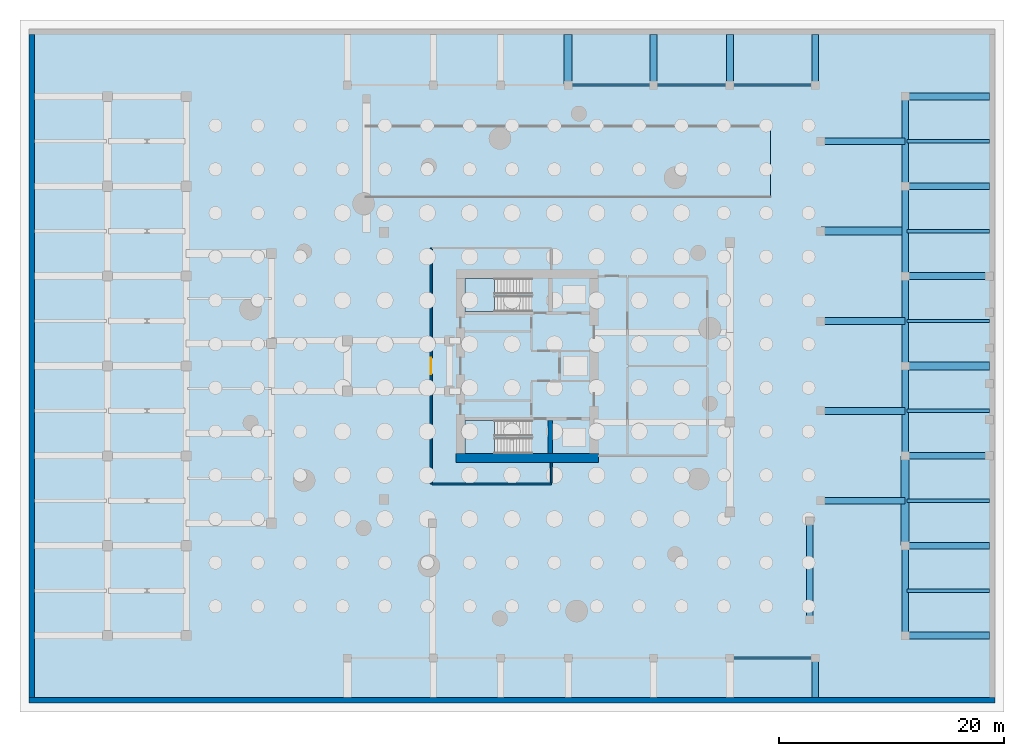
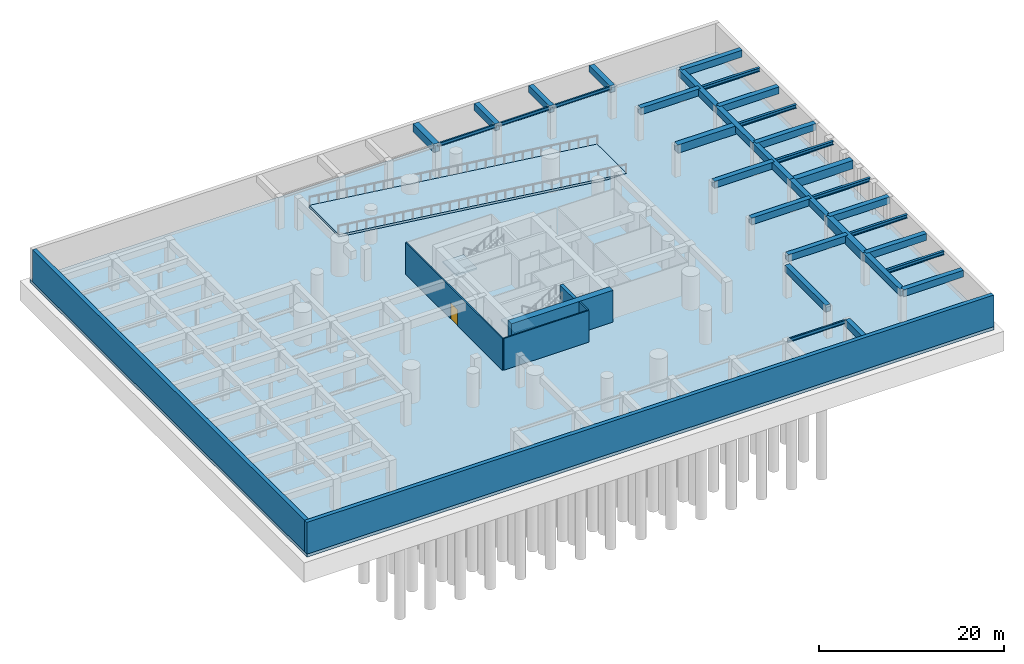
# One storey, part 6 of 11: 34 beams, 7 walls, 4 slabs, 1 door, 1 opening, 2 elements without a shape of their own.
"""IFC4 building model written with IfcOpenShell, lengths in metres."""

from ifc_helpers import new_model, si_unit, direction, frame, frame_2d, origin, origin_2d, place, context, subcontext, project, spatial, polyline, rectangle, i_section, outline, extrude, source, transform, mapped, material, layer, layer_set, material_profile, profile_set, type_object, element, fill, aggregate, save


model = new_model("IFC4")

# Units and contexts
model_context = context("Model", 3, precision=1e-05, world=origin(), true_north=direction((0.0, 1.0)))
body_context = subcontext(model_context, "Body", "Model", "MODEL_VIEW")
ifc_project = project(units=[si_unit("LENGTHUNIT", "METRE"), si_unit("AREAUNIT", "SQUARE_METRE"), si_unit("VOLUMEUNIT", "CUBIC_METRE"), si_unit("PLANEANGLEUNIT", "RADIAN"), si_unit("MASSUNIT", "GRAM", prefix="KILO")], contexts=[model_context])

# Site, building, storey
site_placement = place(None, origin())
site = spatial("IfcSite", under=ifc_project, at=site_placement, CompositionType="ELEMENT")
building_placement = place(site_placement, origin())
building = spatial("IfcBuilding", under=site, at=building_placement, Name="Qafzar Sky-Pleat Residences", CompositionType="ELEMENT")
storey_placement = place(building_placement, frame((0.0, 0.0, -8.699951171875)))
storey = spatial("IfcBuildingStorey", under=building, at=storey_placement, Name="B02", CompositionType="ELEMENT", Elevation=-8.699951171875)

# Beams
ifc_material_1 = material(Name="Concrete C50/60", Category="concrete")
ifc_material_profile_1 = material_profile(ifc_material_1, rectangle(XDim=0.60009765625, YDim=0.89990234375, at=origin_2d()), Name="RC 600x900")
ifc_profile_set_1 = profile_set([ifc_material_profile_1], Name="Concrete C50/60")
beam_type_1 = type_object("IfcBeamType", Name="BM-RC-600x900", PredefinedType="BEAM", material=ifc_profile_set_1)
shared_shape_1 = source(origin(), body_context, "Body", "SweptSolid", [
    extrude(rectangle(XDim=0.60009765625, YDim=0.89990234375, at=origin_2d()), origin(), (0.0, 0.0, 1.0), 8.0),
])
for number, where, z_axis, x_axis, name in (
    (1, (64.0, 2.0, 3.75), (0.0, 1.0, 0.0), (-1.0, 0.0, 0.0), "B02 Basement Girder 59"),
    (2, (64.0, 18.0, 3.75), (0.0, 1.0, 0.0), (-1.0, 0.0, 0.0), "B02 Basement Girder 61"),
    (3, (64.0, 26.0, 3.75), (0.0, 1.0, 0.0), (-1.0, 0.0, 0.0), "B02 Basement Girder 62"),
    (4, (64.0, 34.0, 3.75), (0.0, 1.0, 0.0), (-1.0, 0.0, 0.0), "B02 Basement Girder 63"),
    (5, (64.0, 42.0, 3.75), (0.0, 1.0, 0.0), (-1.0, 0.0, 0.0), "B02 Basement Girder 64"),
):
    element("IfcBeam", number, at=place(storey_placement, frame(where, z_axis=z_axis, x_axis=x_axis)), inside=storey, type_object=beam_type_1, Name=name, PredefinedType="BEAM", context=body_context, shape_type="MappedRepresentation", body=[
        mapped(shared_shape_1, transform((0.0, 0.0, 0.0), x_axis=(1.0, 0.0, 0.0), y_axis=(0.0, 1.0, 0.0), z_axis=(0.0, 0.0, 1.0), scale=1.0)),
    ])
ifc_material_profile_2 = material_profile(ifc_material_1, rectangle(XDim=0.699951171875, YDim=1.10009765625, at=origin_2d()), Name="RC 700x1100")
ifc_profile_set_2 = profile_set([ifc_material_profile_2], Name="Concrete C50/60")
beam_type_2 = type_object("IfcBeamType", Name="BM-RC-700x1100", PredefinedType="BEAM", material=ifc_profile_set_2)
shared_shape_2 = source(origin(), body_context, "Body", "SweptSolid", [
    extrude(rectangle(XDim=0.699951171875, YDim=1.10009765625, at=origin_2d()), origin(), (0.0, 0.0, 1.0), 8.0),
])
beam_1_placement = place(storey_placement, frame((64.0, 10.0, 3.64990234375), z_axis=(0.0, 1.0, 0.0), x_axis=(-1.0, 0.0, 0.0)))
element("IfcBeam", 6, at=beam_1_placement, inside=storey, type_object=beam_type_2, Name="B02 Basement Girder 60", PredefinedType="BEAM", context=body_context, shape_type="MappedRepresentation", body=[
    mapped(shared_shape_2, transform((0.0, 0.0, 0.0), x_axis=(1.0, 0.0, 0.0), y_axis=(0.0, 1.0, 0.0), z_axis=(0.0, 0.0, 1.0), scale=1.0)),
])
shared_shape_3 = source(origin(), body_context, "Body", "SweptSolid", [
    extrude(rectangle(XDim=0.699951171875, YDim=1.10009765625, at=origin_2d()), origin(), (0.0, 0.0, 1.0), 4.5),
])
beam_2_placement = place(storey_placement, frame((34.0, 51.0, 3.64990234375), z_axis=(0.0, 1.0, 0.0), x_axis=(-1.0, 0.0, 0.0)))
element("IfcBeam", 7, at=beam_2_placement, inside=storey, type_object=beam_type_2, Name="B02 Basement Girder 75", PredefinedType="BEAM", context=body_context, shape_type="MappedRepresentation", body=[
    mapped(shared_shape_3, transform((0.0, 0.0, 0.0), x_axis=(1.0, 0.0, 0.0), y_axis=(0.0, 1.0, 0.0), z_axis=(0.0, 0.0, 1.0), scale=1.0)),
])
shared_shape_4 = source(origin(), body_context, "Body", "SweptSolid", [
    extrude(rectangle(XDim=0.60009765625, YDim=0.89990234375, at=origin_2d()), origin(), (0.0, 0.0, 1.0), 4.5),
])
for number, where, z_axis, x_axis, name in (
    (8, (41.60009765625, 51.0, 3.75), (0.0, 1.0, 0.0), (-1.0, 0.0, 0.0), "B02 Basement Girder 76"),
    (9, (48.39990234375, 51.0, 3.75), (0.0, 1.0, 0.0), (-1.0, 0.0, 0.0), "B02 Basement Girder 77"),
    (10, (56.0, 51.0, 3.75), (0.0, 1.0, 0.0), (-1.0, 0.0, 0.0), "B02 Basement Girder 78"),
):
    element("IfcBeam", number, at=place(storey_placement, frame(where, z_axis=z_axis, x_axis=x_axis)), inside=storey, type_object=beam_type_1, Name=name, PredefinedType="BEAM", context=body_context, shape_type="MappedRepresentation", body=[
        mapped(shared_shape_4, transform((0.0, 0.0, 0.0), x_axis=(1.0, 0.0, 0.0), y_axis=(0.0, 1.0, 0.0), z_axis=(0.0, 0.0, 1.0), scale=1.0)),
    ])
shared_shape_5 = source(origin(), body_context, "Body", "SweptSolid", [
    extrude(rectangle(XDim=0.60009765625, YDim=0.89990234375, at=origin_2d()), origin(), (0.0, 0.0, 1.0), 7.5),
])
for number, where, z_axis, x_axis, name in (
    (11, (56.5, 14.0, 3.75), (1.0, 0.0, 0.0), (0.0, 1.0, 0.0), "B02 Basement Girder 47"),
    (12, (56.5, 22.0, 3.75), (1.0, 0.0, 0.0), (0.0, 1.0, 0.0), "B02 Basement Girder 48"),
    (13, (56.5, 30.0, 3.75), (1.0, 0.0, 0.0), (0.0, 1.0, 0.0), "B02 Basement Girder 49"),
    (14, (56.5, 46.0, 3.75), (1.0, 0.0, 0.0), (0.0, 1.0, 0.0), "B02 Basement Girder 51"),
    (15, (64.0, 2.0, 3.75), (1.0, 0.0, 0.0), (0.0, 1.0, 0.0), "B02 Basement Girder 52"),
    (16, (64.0, 10.0, 3.75), (1.0, 0.0, 0.0), (0.0, 1.0, 0.0), "B02 Basement Girder 53"),
    (17, (64.0, 18.0, 3.75), (1.0, 0.0, 0.0), (0.0, 1.0, 0.0), "B02 Basement Girder 54"),
    (18, (64.0, 34.0, 3.75), (1.0, 0.0, 0.0), (0.0, 1.0, 0.0), "B02 Basement Girder 56"),
    (19, (64.0, 42.0, 3.75), (1.0, 0.0, 0.0), (0.0, 1.0, 0.0), "B02 Basement Girder 57"),
    (20, (64.0, 50.0, 3.75), (1.0, 0.0, 0.0), (0.0, 1.0, 0.0), "B02 Basement Girder 58"),
):
    element("IfcBeam", number, at=place(storey_placement, frame(where, z_axis=z_axis, x_axis=x_axis)), inside=storey, type_object=beam_type_1, Name=name, PredefinedType="BEAM", context=body_context, shape_type="MappedRepresentation", body=[
        mapped(shared_shape_5, transform((0.0, 0.0, 0.0), x_axis=(1.0, 0.0, 0.0), y_axis=(0.0, 1.0, 0.0), z_axis=(0.0, 0.0, 1.0), scale=1.0)),
    ])
shared_shape_6 = source(origin(), body_context, "Body", "SweptSolid", [
    extrude(rectangle(XDim=0.699951171875, YDim=1.10009765625, at=origin_2d()), origin(), (0.0, 0.0, 1.0), 7.5),
])
for number, where, z_axis, x_axis, name in (
    (21, (56.5, 38.0, 3.64990234375), (1.0, 0.0, 0.0), (0.0, 1.0, 0.0), "B02 Basement Girder 50"),
    (22, (64.0, 26.0, 3.64990234375), (1.0, 0.0, 0.0), (0.0, 1.0, 0.0), "B02 Basement Girder 55"),
):
    element("IfcBeam", number, at=place(storey_placement, frame(where, z_axis=z_axis, x_axis=x_axis)), inside=storey, type_object=beam_type_2, Name=name, PredefinedType="BEAM", context=body_context, shape_type="MappedRepresentation", body=[
        mapped(shared_shape_6, transform((0.0, 0.0, 0.0), x_axis=(1.0, 0.0, 0.0), y_axis=(0.0, 1.0, 0.0), z_axis=(0.0, 0.0, 1.0), scale=1.0)),
    ])
shared_shape_7 = source(origin(), body_context, "Body", "SweptSolid", [
    extrude(rectangle(XDim=0.60009765625, YDim=0.89990234375, at=origin_2d()), origin(), (0.0, 0.0, 1.0), 3.5),
])
beam_3_placement = place(storey_placement, frame((56.0, -3.5, 3.75), z_axis=(0.0, 1.0, 0.0), x_axis=(-1.0, 0.0, 0.0)))
element("IfcBeam", 23, at=beam_3_placement, inside=storey, type_object=beam_type_1, Name="B02 Basement Girder 71", PredefinedType="BEAM", context=body_context, shape_type="MappedRepresentation", body=[
    mapped(shared_shape_7, transform((0.0, 0.0, 0.0), x_axis=(1.0, 0.0, 0.0), y_axis=(0.0, 1.0, 0.0), z_axis=(0.0, 0.0, 1.0), scale=1.0)),
])
shared_shape_8 = source(origin(), body_context, "Body", "SweptSolid", [
    extrude(rectangle(XDim=0.60009765625, YDim=0.89990234375, at=origin_2d()), origin(), (0.0, 0.0, 1.0), 8.800048828125),
])
beam_4_placement = place(storey_placement, frame((55.5, 3.39990234375, 3.75), z_axis=(0.0, 1.0, 0.0), x_axis=(-1.0, 0.0, 0.0)))
element("IfcBeam", 24, at=beam_4_placement, inside=storey, type_object=beam_type_1, Name="B02 Basement Girder 81", PredefinedType="BEAM", context=body_context, shape_type="MappedRepresentation", body=[
    mapped(shared_shape_8, transform((0.0, 0.0, 0.0), x_axis=(1.0, 0.0, 0.0), y_axis=(0.0, 1.0, 0.0), z_axis=(0.0, 0.0, 1.0), scale=1.0)),
])
ifc_material_2 = material(Name="Steel S355", Category="steel")
ifc_material_profile_3 = material_profile(ifc_material_2, i_section(OverallWidth=0.300048828125, OverallDepth=0.489990234375, WebThickness=0.011962890625, FlangeThickness=0.02294921875, FilletRadius=0.027099609375, at=origin_2d()), Name="HEA 500")
ifc_profile_set_3 = profile_set([ifc_material_profile_3], Name="Steel S355")
beam_type_3 = type_object("IfcBeamType", Name="BM-BASE-HEA500", PredefinedType="BEAM", material=ifc_profile_set_3)
shared_shape_9 = source(origin(), body_context, "Body", "SweptSolid", [
    extrude(i_section(OverallWidth=0.300048828125, OverallDepth=0.489990234375, WebThickness=0.011962890625, FlangeThickness=0.02294921875, FilletRadius=0.027099609375, at=origin_2d()), origin(), (0.0, 0.0, 1.0), 7.320068359375),
])
for number, where, z_axis, x_axis, name in (
    (25, (64.179931640625, 6.0, 3.952880859375), (1.0, 0.0, 0.0), (0.0, 1.0, 0.0), "B02 Basement Secondary Steel Beam 10"),
    (26, (64.179931640625, 14.0, 3.952880859375), (1.0, 0.0, 0.0), (0.0, 1.0, 0.0), "B02 Basement Secondary Steel Beam 11"),
    (27, (64.179931640625, 22.0, 3.952880859375), (1.0, 0.0, 0.0), (0.0, 1.0, 0.0), "B02 Basement Secondary Steel Beam 12"),
    (28, (64.179931640625, 30.0, 3.952880859375), (1.0, 0.0, 0.0), (0.0, 1.0, 0.0), "B02 Basement Secondary Steel Beam 13"),
    (29, (64.179931640625, 38.0, 3.952880859375), (1.0, 0.0, 0.0), (0.0, 1.0, 0.0), "B02 Basement Secondary Steel Beam 14"),
    (30, (64.179931640625, 46.0, 3.952880859375), (1.0, 0.0, 0.0), (0.0, 1.0, 0.0), "B02 Basement Secondary Steel Beam 15"),
):
    element("IfcBeam", number, at=place(storey_placement, frame(where, z_axis=z_axis, x_axis=x_axis)), inside=storey, type_object=beam_type_3, Name=name, PredefinedType="BEAM", context=body_context, shape_type="MappedRepresentation", body=[
        mapped(shared_shape_9, transform((0.0, 0.0, 0.0), x_axis=(1.0, 0.0, 0.0), y_axis=(0.0, 1.0, 0.0), z_axis=(0.0, 0.0, 1.0), scale=1.0)),
    ])
ifc_material_profile_4 = material_profile(ifc_material_2, i_section(OverallWidth=0.18994140625, OverallDepth=0.449951171875, WebThickness=0.009521484375, FlangeThickness=0.0146484375, FilletRadius=0.02099609375, at=origin_2d()), Name="IPE 450")
ifc_profile_set_4 = profile_set([ifc_material_profile_4], Name="Steel S355")
beam_type_4 = type_object("IfcBeamType", Name="BM-SEC-IPE450", PredefinedType="BEAM", material=ifc_profile_set_4)
shared_shape_10 = source(origin(), body_context, "Body", "SweptSolid", [
    extrude(i_section(OverallWidth=0.18994140625, OverallDepth=0.449951171875, WebThickness=0.009521484375, FlangeThickness=0.0146484375, FilletRadius=0.02099609375, at=origin_2d()), origin(), (0.0, 0.0, 1.0), 7.419921875),
])
for number, where, z_axis, x_axis, name in (
    (31, (48.489990234375, 0.0, 3.972900390625), (1.0, 0.0, 0.0), (0.0, 1.0, 0.0), "B02 Basement Secondary Steel Beam 21"),
    (32, (34.090087890625, 51.0, 3.972900390625), (1.0, 0.0, 0.0), (0.0, 1.0, 0.0), "B02 Basement Secondary Steel Beam 25"),
    (33, (48.489990234375, 51.0, 3.972900390625), (1.0, 0.0, 0.0), (0.0, 1.0, 0.0), "B02 Basement Secondary Steel Beam 27"),
):
    element("IfcBeam", number, at=place(storey_placement, frame(where, z_axis=z_axis, x_axis=x_axis)), inside=storey, type_object=beam_type_4, Name=name, PredefinedType="BEAM", context=body_context, shape_type="MappedRepresentation", body=[
        mapped(shared_shape_10, transform((0.0, 0.0, 0.0), x_axis=(1.0, 0.0, 0.0), y_axis=(0.0, 1.0, 0.0), z_axis=(0.0, 0.0, 1.0), scale=1.0)),
    ])
shared_shape_11 = source(origin(), body_context, "Body", "SweptSolid", [
    extrude(i_section(OverallWidth=0.18994140625, OverallDepth=0.449951171875, WebThickness=0.009521484375, FlangeThickness=0.0146484375, FilletRadius=0.02099609375, at=origin_2d()), origin(), (0.0, 0.0, 1.0), 6.6201171875),
])
beam_5_placement = place(storey_placement, frame((41.68994140625, 51.0, 3.972900390625), z_axis=(1.0, 0.0, 0.0), x_axis=(0.0, 1.0, 0.0)))
element("IfcBeam", 34, at=beam_5_placement, inside=storey, type_object=beam_type_4, Name="B02 Basement Secondary Steel Beam 26", PredefinedType="BEAM", context=body_context, shape_type="MappedRepresentation", body=[
    mapped(shared_shape_11, transform((0.0, 0.0, 0.0), x_axis=(1.0, 0.0, 0.0), y_axis=(0.0, 1.0, 0.0), z_axis=(0.0, 0.0, 1.0), scale=1.0)),
])

# Slab
ifc_material_3 = material(Name="Concrete C60/75", Category="concrete")
ifc_layer_1 = layer(ifc_material_3, 0.39990234375)
ifc_layer_set_1 = layer_set([ifc_layer_1], Name="Concrete C60/75")
slab_type_1 = type_object("IfcSlabType", Name="SLAB-BASE-400", PredefinedType="BASESLAB", material=ifc_layer_set_1)
slab_1_placement = place(storey_placement, frame((0.0, 0.0, -0.400146484375)))
element("IfcSlab", 35, at=slab_1_placement, inside=storey, type_object=slab_type_1, Name="B02 Substructure Base Slab", PredefinedType="BASESLAB", context=body_context, shape_type="SweptSolid", body=[
    extrude(outline(polyline([(-14.0, -4.0), (72.0, -4.0), (72.0, 56.0), (-14.0, 56.0), (-14.0, -4.0)]), holes=[polyline([(49.5, 41.0), (52.0, 41.0), (52.0, 47.39990234375), (49.5, 47.39990234375), (49.5, 41.0)])]), origin(), (0.0, 0.0, 1.0), 0.400146484375),
])

# Stair, slab
ifc_material_4 = material(Name="Concrete C40/50", Category="concrete")
stair_type = type_object("IfcStairType", Name="STAIR-H450", PredefinedType="HALF_TURN_STAIR", material=ifc_material_4)
stair_1_placement = place(storey_placement, origin())
stair_1 = element("IfcStair", 36, at=stair_1_placement, inside=storey, type_object=stair_type, Name="B02 Protected Exit Stair ST1", PredefinedType="HALF_TURN_STAIR")
ifc_layer_2 = layer(ifc_material_4, 0.199951171875)
ifc_layer_set_2 = layer_set([ifc_layer_2], Name="Concrete C40/50")
slab_type_2 = type_object("IfcSlabType", Name="SLAB-LANDING-200", PredefinedType="LANDING", material=ifc_layer_set_2)
slab_2_placement = place(storey_placement, frame((0.0, 0.0, 2.050048828125)))
slab_2 = element("IfcSlab", 37, at=slab_2_placement, type_object=slab_type_2, Name="ST1 landing 1", PredefinedType="LANDING", context=body_context, shape_type="SweptSolid", body=[
    extrude(outline(polyline([(27.43994140625, 21.14990234375), (24.800048828125, 21.14990234375), (24.800048828125, 18.199951171875), (27.43994140625, 18.199951171875), (27.43994140625, 21.14990234375)])), origin(), (0.0, 0.0, 1.0), 0.199951171875),
])
aggregate(stair_1, [slab_2])

stair_2_placement = place(storey_placement, origin())
stair_2 = element("IfcStair", 38, at=stair_2_placement, inside=storey, type_object=stair_type, Name="B02 Protected Exit Stair ST2", PredefinedType="HALF_TURN_STAIR")
slab_3_placement = place(storey_placement, frame((0.0, 0.0, 2.050048828125)))
slab_3 = element("IfcSlab", 39, at=slab_3_placement, type_object=slab_type_2, Name="ST2 landing 1", PredefinedType="LANDING", context=body_context, shape_type="SweptSolid", body=[
    extrude(outline(polyline([(27.43994140625, 33.800048828125), (24.800048828125, 33.800048828125), (24.800048828125, 30.85009765625), (27.43994140625, 30.85009765625), (27.43994140625, 33.800048828125)])), origin(), (0.0, 0.0, 1.0), 0.199951171875),
])
aggregate(stair_2, [slab_3])

# Slab
ifc_layer_3 = layer(ifc_material_4, 0.300048828125)
ifc_layer_set_3 = layer_set([ifc_layer_3], Name="Concrete C40/50")
slab_type_3 = type_object("IfcSlabType", Name="SLAB-RAMP-300", PredefinedType="FLOOR", material=ifc_layer_set_3)
slab_4_placement = place(storey_placement, frame((52.0, 41.0, 0.0), z_axis=(0.124034734589, 0.0, 0.992277876714), x_axis=(-0.992277876714, 0.0, 0.124034734589)))
element("IfcSlab", 40, at=slab_4_placement, inside=storey, type_object=slab_type_3, Name="Car park vehicle ramp slab RMP-2", PredefinedType="FLOOR", context=body_context, shape_type="SweptSolid", body=[
    extrude(outline(polyline([(0.0, 0.0), (36.28015986734348, 0.0), (36.28015986734348, -6.399902343750002), (0.0, -6.399902343750002), (0.0, 0.0)])), origin(), (0.0, 0.0, -1.0), 0.300048828125),
])

# Wall, opening, door
ifc_material_5 = material(Name="Acoustic gypsum plasterboard partition", Category="gypsum")
ifc_layer_4 = layer(ifc_material_5, 0.159912109375)
ifc_layer_set_4 = layer_set([ifc_layer_4], Name="Acoustic gypsum plasterboard partition")
wall_type_1 = type_object("IfcWallType", Name="PART-COR-160", PredefinedType="PARTITIONING", material=ifc_layer_set_4)
wall_1_placement = place(storey_placement, frame((21.800048828125, 15.5, 0.0), z_axis=(0.0, 0.0, 1.0), x_axis=(0.0, 1.0, 0.0)))
wall_1 = element("IfcWall", 41, at=wall_1_placement, inside=storey, type_object=wall_type_1, Name="B02 Partition Wall PART-B02-PW-001", PredefinedType="PARTITIONING", context=body_context, shape_type="SweptSolid", body=[
    extrude(rectangle(XDim=21.0, YDim=0.159912109375, at=frame_2d((10.5, 0.0))), origin(), (0.0, 0.0, 1.0), 4.199951171875),
])
opening_placement = place(wall_1_placement, frame((9.75, 0.0, 0.0)))
opening = element("IfcOpeningElement", 42, at=opening_placement, cuts=wall_1, Name="Opening ID-03", PredefinedType="OPENING", context=body_context, shape_type="SweptSolid", body=[
    extrude(rectangle(XDim=1.5, YDim=2.14990234375, at=frame_2d((0.75, 1.074951171875))), frame((0.0, 0.08984375, 0.0), z_axis=(0.0, -1.0, 0.0), x_axis=(1.0, 0.0, 0.0)), (0.0, 0.0, 1.0), 0.179931640625),
])
ifc_material_6 = material(Name="Timber-faced fire door", Category="wood")
door_type = type_object("IfcDoorType", Name="DR-COR-1500", OperationType="DOUBLE_DOOR_SINGLE_SWING", PredefinedType="DOOR", material=ifc_material_6)
shared_shape_12 = source(origin(), body_context, "Body", "SweptSolid", [
    extrude(rectangle(XDim=1.5, YDim=2.14990234375, at=frame_2d((0.75, 1.074951171875))), frame((0.0, 0.02490234375, 0.0), z_axis=(0.0, -1.0, 0.0), x_axis=(1.0, 0.0, 0.0)), (0.0, 0.0, 1.0), 0.050048828125),
])
door_placement = place(opening_placement, origin())
door = element("IfcDoor", 43, at=door_placement, inside=storey, type_object=door_type, Name="B02 Car Park Lift Lobby Door", OperationType="DOUBLE_DOOR_SINGLE_SWING", OverallHeight=2.14990234375, OverallWidth=1.5, PredefinedType="DOOR", context=body_context, shape_type="MappedRepresentation", body=[
    mapped(shared_shape_12, transform((0.0, 0.0, 0.0), x_axis=(1.0, 0.0, 0.0), y_axis=(0.0, 1.0, 0.0), z_axis=(0.0, 0.0, 1.0), scale=1.0)),
])
fill(opening, door)

# Walls
wall_2_placement = place(storey_placement, frame((21.887939453125, 15.5, 0.0), z_axis=(0.0, 0.0, 1.0), x_axis=(1.0, 0.0, 0.0)))
element("IfcWall", 44, at=wall_2_placement, inside=storey, type_object=wall_type_1, Name="B02 Partition Wall PART-B02-PW-002", PredefinedType="PARTITIONING", context=body_context, shape_type="SweptSolid", body=[
    extrude(rectangle(XDim=10.612060546875, YDim=0.159912109375, at=frame_2d((5.30615234375, 0.0))), origin(), (0.0, 0.0, 1.0), 4.199951171875),
])
wall_3_placement = place(storey_placement, frame((32.5, 15.587890625, 0.0), z_axis=(0.0, 0.0, 1.0), x_axis=(0.0, 1.0, 0.0)))
element("IfcWall", 45, at=wall_3_placement, inside=storey, type_object=wall_type_1, Name="B02 Partition Wall PART-B02-PW-003", PredefinedType="PARTITIONING", context=body_context, shape_type="SweptSolid", body=[
    extrude(rectangle(XDim=1.80419921875, YDim=0.159912109375, at=frame_2d((0.902099609375, 0.0))), origin(), (0.0, 0.0, 1.0), 4.199951171875),
])
ifc_layer_5 = layer(ifc_material_3, 0.5)
ifc_layer_set_5 = layer_set([ifc_layer_5], Name="Concrete C60/75")
wall_type_2 = type_object("IfcWallType", Name="WALL-RET-500", PredefinedType="SOLIDWALL", material=ifc_layer_set_5)
wall_4_placement = place(storey_placement, frame((-14.0, -3.75, 0.0), z_axis=(0.0, 0.0, 1.0), x_axis=(1.0, 0.0, 0.0)))
element("IfcWall", 46, at=wall_4_placement, inside=storey, type_object=wall_type_2, Name="B02 RET wall S", PredefinedType="SOLIDWALL", context=body_context, shape_type="SweptSolid", body=[
    extrude(rectangle(XDim=86.0, YDim=0.5, at=frame_2d((43.0, 0.0))), origin(), (0.0, 0.0, 1.0), 4.199951171875),
])
wall_5_placement = place(storey_placement, frame((-13.75, 55.5, 0.0), z_axis=(0.0, 0.0, 1.0), x_axis=(0.0, -1.0, 0.0)))
element("IfcWall", 47, at=wall_5_placement, inside=storey, type_object=wall_type_2, Name="B02 RET wall W", PredefinedType="SOLIDWALL", context=body_context, shape_type="SweptSolid", body=[
    extrude(rectangle(XDim=59.0, YDim=0.5, at=frame_2d((29.5, 0.0))), origin(), (0.0, 0.0, 1.0), 4.199951171875),
])
ifc_layer_6 = layer(ifc_material_3, 0.39990234375)
ifc_layer_set_6 = layer_set([ifc_layer_6], Name="Concrete C60/75")
wall_type_3 = type_object("IfcWallType", Name="WALL-SHEAR-400", PredefinedType="SHEAR", material=ifc_layer_set_6)
wall_6_placement = place(storey_placement, frame((32.39990234375, 18.199951171875, 0.0), z_axis=(0.0, 0.0, 1.0), x_axis=(0.0, 1.0, 0.0)))
element("IfcWall", 48, at=wall_6_placement, inside=storey, type_object=wall_type_3, Name="B02 Stair ST1 East Dividing Wall", PredefinedType="SHEAR", context=body_context, shape_type="SweptSolid", body=[
    extrude(rectangle(XDim=2.949951171875, YDim=0.39990234375, at=frame_2d((1.47509765625, 0.0))), origin(), (0.0, 0.0, 1.0), 4.199951171875),
])
ifc_layer_7 = layer(ifc_material_3, 0.800048828125)
ifc_layer_set_7 = layer_set([ifc_layer_7], Name="Concrete C60/75")
wall_type_4 = type_object("IfcWallType", Name="WALL-SHEAR-800", PredefinedType="SHEAR", material=ifc_layer_set_7)
wall_7_placement = place(storey_placement, frame((24.0, 17.800048828125, 0.0), z_axis=(0.0, 0.0, 1.0), x_axis=(1.0, 0.0, 0.0)))
element("IfcWall", 49, at=wall_7_placement, inside=storey, type_object=wall_type_4, Name="B02 CORE wall S", PredefinedType="SHEAR", context=body_context, shape_type="SweptSolid", body=[
    extrude(rectangle(XDim=12.699951171875, YDim=0.800048828125, at=frame_2d((6.35009765625, 0.0))), origin(), (0.0, 0.0, 1.0), 4.199951171875),
])

save(model, "model.ifc")
